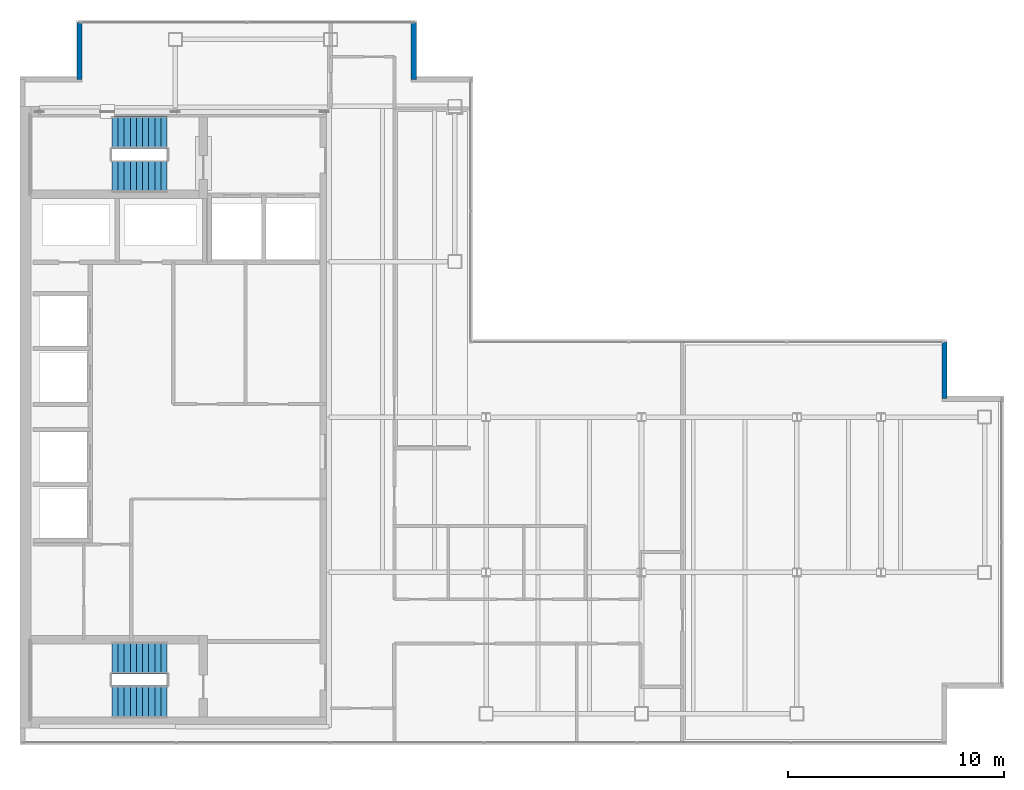
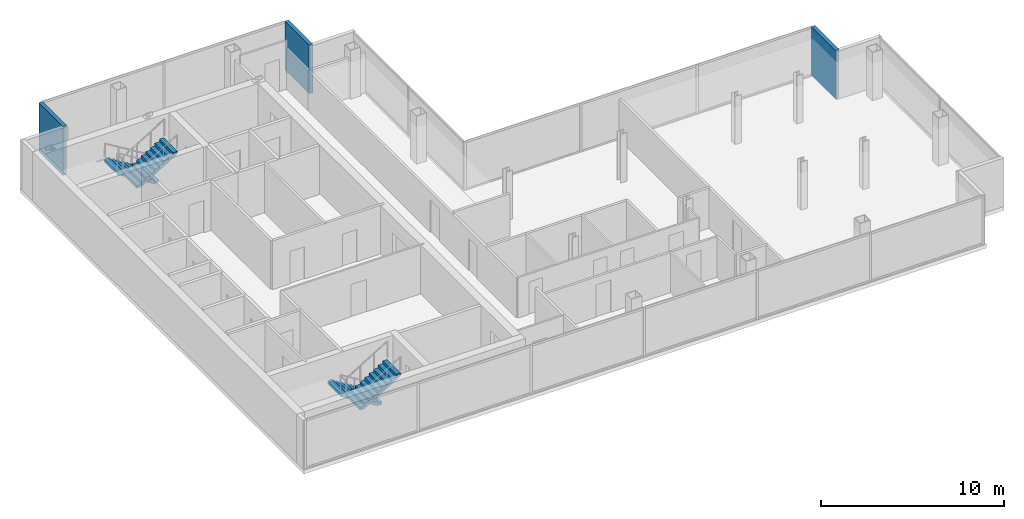
# One storey, part 22 of 23: 4 stair flights, 3 walls, 2 elements without a shape of their own.
"""IFC4 building model written with IfcOpenShell, lengths in metres."""

from ifc_helpers import new_model, si_unit, direction, frame, frame_2d, origin, place, context, subcontext, project, spatial, polyline, rectangle, outline, extrude, material, layer, layer_set, type_object, element, aggregate, save


model = new_model("IFC4")

# Units and contexts
model_context = context("Model", 3, precision=1e-05, world=origin(), true_north=direction((0.0, 1.0)))
body_context = subcontext(model_context, "Body", "Model", "MODEL_VIEW")
ifc_project = project(units=[si_unit("LENGTHUNIT", "METRE"), si_unit("AREAUNIT", "SQUARE_METRE"), si_unit("VOLUMEUNIT", "CUBIC_METRE"), si_unit("PLANEANGLEUNIT", "RADIAN"), si_unit("MASSUNIT", "GRAM", prefix="KILO")], contexts=[model_context])

# Site, building, storey
site_placement = place(None, origin())
site = spatial("IfcSite", under=ifc_project, at=site_placement, CompositionType="ELEMENT")
building_placement = place(site_placement, origin())
building = spatial("IfcBuilding", under=site, at=building_placement, Name="Cobrela Telecom Tower", CompositionType="ELEMENT")
storey_placement = place(building_placement, frame((0.0, 0.0, 272.64990234375)))
storey = spatial("IfcBuildingStorey", under=building, at=storey_placement, Name="L71", CompositionType="ELEMENT", Elevation=272.64990234375)

# Walls
ifc_material = material(Name="Concrete C40/50", Category="concrete")
ifc_layer = layer(ifc_material, 0.239990234375)
ifc_layer_set = layer_set([ifc_layer], Name="Concrete C40/50")
wall_type = type_object("IfcWallType", Name="WALL-EXT-300", PredefinedType="STANDARD", material=ifc_layer_set)
for number, where, z_axis, x_axis, name in (
    (1, (2.75, 37.25, 0.0), (0.0, 0.0, 1.0), (0.0, 1.0, 0.0), "L71 Insulated Facade Wall 04"),
    (2, (18.25, 39.8798828125, 0.0), (0.0, 0.0, 1.0), (0.0, -1.0, 0.0), "L71 Insulated Facade Wall 06"),
):
    element("IfcWall", number, at=place(storey_placement, frame(where, z_axis=z_axis, x_axis=x_axis)), inside=storey, type_object=wall_type, Name=name, PredefinedType="STANDARD", context=body_context, shape_type="SweptSolid", body=[
        extrude(rectangle(XDim=2.6298828125, YDim=0.239990234375, at=frame_2d((1.31494140625, 0.0))), origin(), (0.0, 0.0, 1.0), 3.239990234375),
    ])
wall_placement = place(storey_placement, frame((42.85009765625, 25.080078125, 0.0), z_axis=(0.0, 0.0, 1.0), x_axis=(0.0, -1.0, 0.0)))
element("IfcWall", 3, at=wall_placement, inside=storey, type_object=wall_type, Name="L71 Insulated Facade Wall 10", PredefinedType="STANDARD", context=body_context, shape_type="SweptSolid", body=[
    extrude(rectangle(XDim=2.630126953125, YDim=0.239990234375, at=frame_2d((1.31494140625, 0.0))), origin(), (0.0, 0.0, 1.0), 3.239990234375),
])

# Stair, stair flights
stair_type = type_object("IfcStairType", Name="STAIR-CORE", PredefinedType="HALF_TURN_STAIR", material=ifc_material)
stair_1_placement = place(storey_placement, origin())
stair_1 = element("IfcStair", 4, at=stair_1_placement, inside=storey, type_object=stair_type, Name="L71 Smokeproof Exit Stair ST1", PredefinedType="HALF_TURN_STAIR")
stair_flight_type = type_object("IfcStairFlightType", Name="FLIGHT-CORE", PredefinedType="STRAIGHT", material=ifc_material)
stair_flight_1_placement = place(storey_placement, frame((6.820068359375, 34.800048828125, 0.0), z_axis=(0.0, 0.0, 1.0), x_axis=(-1.0, 0.0, 0.0)))
stair_flight_1 = element("IfcStairFlight", 5, at=stair_flight_1_placement, type_object=stair_flight_type, Name="ST1 flight 1", NumberOfRisers=10, NumberOfTreads=9, PredefinedType="STRAIGHT", RiserHeight=0.175, TreadLength=0.285, context=body_context, shape_type="SweptSolid", body=[
    extrude(outline(polyline([(0.0, 0.0), (0.0, 0.175048828125), (0.284912109375, 0.175048828125), (0.284912109375, 0.35009765625), (0.570068359375, 0.35009765625), (0.570068359375, 0.52490234375), (0.85498046875, 0.52490234375), (0.85498046875, 0.699951171875), (1.139892578125, 0.699951171875), (1.139892578125, 0.875), (1.425048828125, 0.875), (1.425048828125, 1.050048828125), (1.7099609375, 1.050048828125), (1.7099609375, 1.22509765625), (1.9951171875, 1.22509765625), (1.9951171875, 1.39990234375), (2.280029296875, 1.39990234375), (2.280029296875, 1.574951171875), (2.56494140625, 1.574951171875), (2.56494140625, 1.75), (2.56494140625, 1.399169921875), (0.286376953125, 0.0), (0.0, 0.0)])), frame((0.0, 0.75, 0.0), z_axis=(0.0, -1.0, 0.0), x_axis=(1.0, 0.0, 0.0)), (0.0, 0.0, 1.0), 1.5),
])
stair_flight_2_placement = place(storey_placement, frame((4.2548828125, 32.75, 1.75), z_axis=(0.0, 0.0, 1.0), x_axis=(1.0, 0.0, 0.0)))
stair_flight_2 = element("IfcStairFlight", 6, at=stair_flight_2_placement, type_object=stair_flight_type, Name="ST1 flight 2", NumberOfRisers=10, NumberOfTreads=9, PredefinedType="STRAIGHT", RiserHeight=0.175, TreadLength=0.285, context=body_context, shape_type="SweptSolid", body=[
    extrude(outline(polyline([(0.0, 0.0), (0.0, 0.175048828125), (0.284912109375, 0.175048828125), (0.284912109375, 0.35009765625), (0.570068359375, 0.35009765625), (0.570068359375, 0.52490234375), (0.85498046875, 0.52490234375), (0.85498046875, 0.699951171875), (1.139892578125, 0.699951171875), (1.139892578125, 0.875), (1.425048828125, 0.875), (1.425048828125, 1.050048828125), (1.7099609375, 1.050048828125), (1.7099609375, 1.22509765625), (1.9951171875, 1.22509765625), (1.9951171875, 1.39990234375), (2.280029296875, 1.39990234375), (2.280029296875, 1.574951171875), (2.56494140625, 1.574951171875), (2.56494140625, 1.75), (2.56494140625, 1.399169921875), (0.286376953125, 0.0), (0.0, 0.0)])), frame((0.0, 0.75, 0.0), z_axis=(0.0, -1.0, 0.0), x_axis=(1.0, 0.0, 0.0)), (0.0, 0.0, 1.0), 1.5),
])
aggregate(stair_1, [stair_flight_1, stair_flight_2])

stair_2_placement = place(storey_placement, origin())
stair_2 = element("IfcStair", 7, at=stair_2_placement, inside=storey, type_object=stair_type, Name="L71 Smokeproof Exit Stair ST2", PredefinedType="HALF_TURN_STAIR")
stair_flight_3_placement = place(storey_placement, frame((6.820068359375, 10.449951171875, 0.0), z_axis=(0.0, 0.0, 1.0), x_axis=(-1.0, 0.0, 0.0)))
stair_flight_3 = element("IfcStairFlight", 8, at=stair_flight_3_placement, type_object=stair_flight_type, Name="ST2 flight 1", NumberOfRisers=10, NumberOfTreads=9, PredefinedType="STRAIGHT", RiserHeight=0.175, TreadLength=0.285, context=body_context, shape_type="SweptSolid", body=[
    extrude(outline(polyline([(0.0, 0.0), (0.0, 0.175048828125), (0.284912109375, 0.175048828125), (0.284912109375, 0.35009765625), (0.570068359375, 0.35009765625), (0.570068359375, 0.52490234375), (0.85498046875, 0.52490234375), (0.85498046875, 0.699951171875), (1.139892578125, 0.699951171875), (1.139892578125, 0.875), (1.425048828125, 0.875), (1.425048828125, 1.050048828125), (1.7099609375, 1.050048828125), (1.7099609375, 1.22509765625), (1.9951171875, 1.22509765625), (1.9951171875, 1.39990234375), (2.280029296875, 1.39990234375), (2.280029296875, 1.574951171875), (2.56494140625, 1.574951171875), (2.56494140625, 1.75), (2.56494140625, 1.399169921875), (0.286376953125, 0.0), (0.0, 0.0)])), frame((0.0, 0.75, 0.0), z_axis=(0.0, -1.0, 0.0), x_axis=(1.0, 0.0, 0.0)), (0.0, 0.0, 1.0), 1.5),
])
stair_flight_4_placement = place(storey_placement, frame((4.2548828125, 8.39990234375, 1.75), z_axis=(0.0, 0.0, 1.0), x_axis=(1.0, 0.0, 0.0)))
stair_flight_4 = element("IfcStairFlight", 9, at=stair_flight_4_placement, type_object=stair_flight_type, Name="ST2 flight 2", NumberOfRisers=10, NumberOfTreads=9, PredefinedType="STRAIGHT", RiserHeight=0.175, TreadLength=0.285, context=body_context, shape_type="SweptSolid", body=[
    extrude(outline(polyline([(0.0, 0.0), (0.0, 0.175048828125), (0.284912109375, 0.175048828125), (0.284912109375, 0.35009765625), (0.570068359375, 0.35009765625), (0.570068359375, 0.52490234375), (0.85498046875, 0.52490234375), (0.85498046875, 0.699951171875), (1.139892578125, 0.699951171875), (1.139892578125, 0.875), (1.425048828125, 0.875), (1.425048828125, 1.050048828125), (1.7099609375, 1.050048828125), (1.7099609375, 1.22509765625), (1.9951171875, 1.22509765625), (1.9951171875, 1.39990234375), (2.280029296875, 1.39990234375), (2.280029296875, 1.574951171875), (2.56494140625, 1.574951171875), (2.56494140625, 1.75), (2.56494140625, 1.399169921875), (0.286376953125, 0.0), (0.0, 0.0)])), frame((0.0, 0.75, 0.0), z_axis=(0.0, -1.0, 0.0), x_axis=(1.0, 0.0, 0.0)), (0.0, 0.0, 1.0), 1.5),
])
aggregate(stair_2, [stair_flight_3, stair_flight_4])

save(model, "model.ifc")
